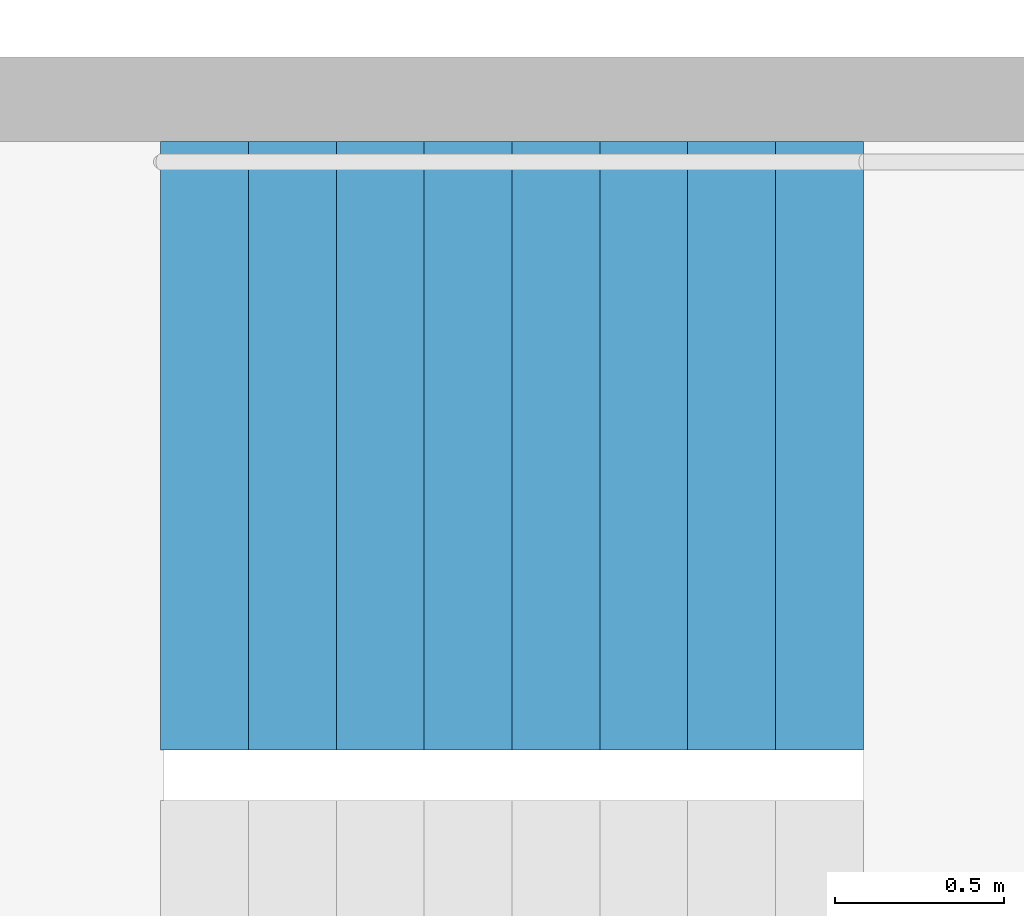
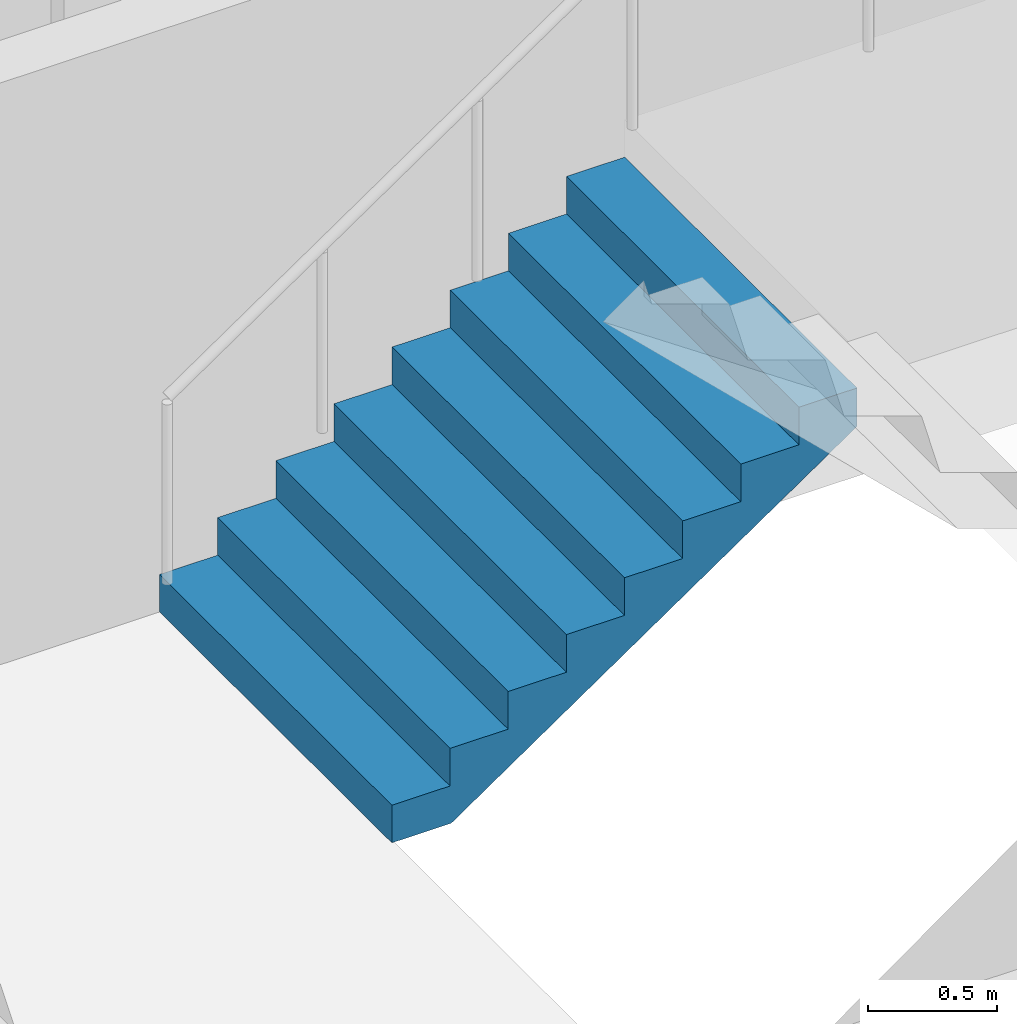
# One storey, part 23 of 26: 1 stair flight, 1 element without a shape of its own.
"""IFC4 building model written with IfcOpenShell, lengths in metres."""

from ifc_helpers import new_model, si_unit, direction, frame, origin, place, context, subcontext, project, spatial, triangles, material, type_object, element, aggregate, save


model = new_model("IFC4")

# Units and contexts
model_context = context("Model", 3, precision=1e-05, world=origin(), true_north=direction((0.0, 1.0)))
body_context = subcontext(model_context, "Body", "Model", "MODEL_VIEW")
ifc_project = project(units=[si_unit("LENGTHUNIT", "METRE"), si_unit("AREAUNIT", "SQUARE_METRE"), si_unit("VOLUMEUNIT", "CUBIC_METRE"), si_unit("PLANEANGLEUNIT", "RADIAN"), si_unit("MASSUNIT", "GRAM", prefix="KILO")], contexts=[model_context])

# Site, building, storey
site_placement = place(None, origin())
site = spatial("IfcSite", under=ifc_project, at=site_placement, CompositionType="ELEMENT")
building_placement = place(site_placement, origin())
building = spatial("IfcBuilding", under=site, at=building_placement, Name="Hakoniwa Tower and Hamabe Station Hall", CompositionType="ELEMENT")
storey_placement = place(building_placement, frame((0.0, 0.0, 143.800048828125)))
storey = spatial("IfcBuildingStorey", under=building, at=storey_placement, Name="L40", CompositionType="ELEMENT", Elevation=143.800048828125)

# Stair, stair flight
ifc_material_1 = material(Name="Concrete C40", Category="concrete")
stair_type = type_object("IfcStairType", Name="ESCAPE STAIR 1800", PredefinedType="HALF_TURN_STAIR", material=ifc_material_1)
stair_placement = place(storey_placement, origin())
stair = element("IfcStair", 1, at=stair_placement, inside=storey, type_object=stair_type, Name="Escape stair ST-4 L40", PredefinedType="HALF_TURN_STAIR")
ifc_material_2 = material(Name="Concrete C40", Category="concrete")
stair_flight_type = type_object("IfcStairFlightType", Name="STAIR FLIGHT 1800", PredefinedType="STRAIGHT", material=ifc_material_2)
stair_flight_placement = place(storey_placement, frame((23.39990234375, -4.64990234375, 0.0), z_axis=(0.0, 0.0, 1.0), x_axis=(1.0, 0.0, 0.0)))
stair_flight = element("IfcStairFlight", 2, at=stair_flight_placement, type_object=stair_flight_type, Name="ST-4 flight 1", NumberOfRisers=9, NumberOfTreads=8, PredefinedType="STRAIGHT", RiserHeight=0.177777778, TreadLength=0.26, context=body_context, shape_type="Tessellation", body=[
    triangles([(0.0, 0.89990234375, 0.0), (0.260009765625, 0.89990234375, 0.0), (0.265625, 0.89990234375, 0.0), (0.52001953125, 0.89990234375, 0.174072265625), (0.780029296875, 0.89990234375, 0.351806640625), (1.0400390625, 0.89990234375, 0.529541015625), (1.300048828125, 0.89990234375, 0.707275390625), (1.56005859375, 0.89990234375, 0.885009765625), (1.820068359375, 0.89990234375, 1.062744140625), (2.080078125, 0.89990234375, 1.24072265625), (2.080078125, 0.89990234375, 1.422119140625), (1.820068359375, 0.89990234375, 1.422119140625), (1.820068359375, 0.89990234375, 1.244384765625), (1.56005859375, 0.89990234375, 1.244384765625), (1.56005859375, 0.89990234375, 1.066650390625), (1.300048828125, 0.89990234375, 1.066650390625), (1.300048828125, 0.89990234375, 0.888916015625), (1.0400390625, 0.89990234375, 0.888916015625), (1.0400390625, 0.89990234375, 0.711181640625), (0.780029296875, 0.89990234375, 0.711181640625), (0.780029296875, 0.89990234375, 0.533447265625), (0.52001953125, 0.89990234375, 0.533447265625), (0.52001953125, 0.89990234375, 0.35546875), (0.265625, 0.89990234375, 0.35546875), (0.260009765625, 0.89990234375, 0.35546875), (0.260009765625, 0.89990234375, 0.177734375), (0.0, 0.89990234375, 0.177734375), (0.0, 0.06005859375, 0.0), (0.260009765625, 0.06005859375, 0.0), (0.265625, 0.06005859375, 0.0), (0.52001953125, 0.06005859375, 0.174072265625), (0.780029296875, 0.06005859375, 0.351806640625), (1.0400390625, 0.06005859375, 0.529541015625), (1.300048828125, 0.06005859375, 0.707275390625), (1.56005859375, 0.06005859375, 0.885009765625), (1.820068359375, 0.06005859375, 1.062744140625), (2.080078125, 0.06005859375, 1.24072265625), (2.080078125, 0.06005859375, 1.422119140625), (1.820068359375, 0.06005859375, 1.422119140625), (1.820068359375, 0.06005859375, 1.244384765625), (1.56005859375, 0.06005859375, 1.244384765625), (1.56005859375, 0.06005859375, 1.066650390625), (1.300048828125, 0.06005859375, 1.066650390625), (1.300048828125, 0.06005859375, 0.888916015625), (1.0400390625, 0.06005859375, 0.888916015625), (1.0400390625, 0.06005859375, 0.711181640625), (0.780029296875, 0.06005859375, 0.711181640625), (0.780029296875, 0.06005859375, 0.533447265625), (0.52001953125, 0.06005859375, 0.533447265625), (0.52001953125, 0.06005859375, 0.35546875), (0.265625, 0.06005859375, 0.35546875), (0.260009765625, 0.06005859375, 0.35546875), (0.260009765625, 0.06005859375, 0.177734375), (0.0, 0.06005859375, 0.177734375), (0.0, 0.04296875, 0.0), (0.260009765625, 0.04296875, 0.0), (0.265625, 0.04296875, 0.0), (0.52001953125, 0.04296875, 0.174072265625), (0.780029296875, 0.04296875, 0.351806640625), (1.0400390625, 0.04296875, 0.529541015625), (1.300048828125, 0.04296875, 0.707275390625), (1.56005859375, 0.04296875, 0.885009765625), (1.820068359375, 0.04296875, 1.062744140625), (2.080078125, 0.04296875, 1.24072265625), (2.080078125, 0.04296875, 1.422119140625), (1.820068359375, 0.04296875, 1.422119140625), (1.820068359375, 0.04296875, 1.244384765625), (1.56005859375, 0.04296875, 1.244384765625), (1.56005859375, 0.04296875, 1.066650390625), (1.300048828125, 0.04296875, 1.066650390625), (1.300048828125, 0.04296875, 0.888916015625), (1.0400390625, 0.04296875, 0.888916015625), (1.0400390625, 0.04296875, 0.711181640625), (0.780029296875, 0.04296875, 0.711181640625), (0.780029296875, 0.04296875, 0.533447265625), (0.52001953125, 0.04296875, 0.533447265625), (0.52001953125, 0.04296875, 0.35546875), (0.265625, 0.04296875, 0.35546875), (0.260009765625, 0.04296875, 0.35546875), (0.260009765625, 0.04296875, 0.177734375), (0.0, 0.04296875, 0.177734375), (0.0, 0.025634765625, 0.0), (0.260009765625, 0.025634765625, 0.0), (0.265625, 0.025634765625, 0.0), (0.52001953125, 0.025634765625, 0.174072265625), (0.780029296875, 0.025634765625, 0.351806640625), (1.0400390625, 0.025634765625, 0.529541015625), (1.300048828125, 0.025634765625, 0.707275390625), (1.56005859375, 0.025634765625, 0.885009765625), (1.820068359375, 0.025634765625, 1.062744140625), (2.080078125, 0.025634765625, 1.24072265625), (2.080078125, 0.025634765625, 1.422119140625), (1.820068359375, 0.025634765625, 1.422119140625), (1.820068359375, 0.025634765625, 1.244384765625), (1.56005859375, 0.025634765625, 1.244384765625), (1.56005859375, 0.025634765625, 1.066650390625), (1.300048828125, 0.025634765625, 1.066650390625), (1.300048828125, 0.025634765625, 0.888916015625), (1.0400390625, 0.025634765625, 0.888916015625), (1.0400390625, 0.025634765625, 0.711181640625), (0.780029296875, 0.025634765625, 0.711181640625), (0.780029296875, 0.025634765625, 0.533447265625), (0.52001953125, 0.025634765625, 0.533447265625), (0.52001953125, 0.025634765625, 0.35546875), (0.265625, 0.025634765625, 0.35546875), (0.260009765625, 0.025634765625, 0.35546875), (0.260009765625, 0.025634765625, 0.177734375), (0.0, 0.025634765625, 0.177734375), (0.0, 0.008544921875, 0.0), (0.260009765625, 0.008544921875, 0.0), (0.265625, 0.008544921875, 0.0), (0.52001953125, 0.008544921875, 0.174072265625), (0.780029296875, 0.008544921875, 0.351806640625), (1.0400390625, 0.008544921875, 0.529541015625), (1.300048828125, 0.008544921875, 0.707275390625), (1.56005859375, 0.008544921875, 0.885009765625), (1.820068359375, 0.008544921875, 1.062744140625), (2.080078125, 0.008544921875, 1.24072265625), (2.080078125, 0.008544921875, 1.422119140625), (1.820068359375, 0.008544921875, 1.422119140625), (1.820068359375, 0.008544921875, 1.244384765625), (1.56005859375, 0.008544921875, 1.244384765625), (1.56005859375, 0.008544921875, 1.066650390625), (1.300048828125, 0.008544921875, 1.066650390625), (1.300048828125, 0.008544921875, 0.888916015625), (1.0400390625, 0.008544921875, 0.888916015625), (1.0400390625, 0.008544921875, 0.711181640625), (0.780029296875, 0.008544921875, 0.711181640625), (0.780029296875, 0.008544921875, 0.533447265625), (0.52001953125, 0.008544921875, 0.533447265625), (0.52001953125, 0.008544921875, 0.35546875), (0.265625, 0.008544921875, 0.35546875), (0.260009765625, 0.008544921875, 0.35546875), (0.260009765625, 0.008544921875, 0.177734375), (0.0, 0.008544921875, 0.177734375), (0.0, -0.008544921875, 0.0), (0.260009765625, -0.008544921875, 0.0), (0.265625, -0.008544921875, 0.0), (0.52001953125, -0.008544921875, 0.174072265625), (0.780029296875, -0.008544921875, 0.351806640625), (1.0400390625, -0.008544921875, 0.529541015625), (1.300048828125, -0.008544921875, 0.707275390625), (1.56005859375, -0.008544921875, 0.885009765625), (1.820068359375, -0.008544921875, 1.062744140625), (2.080078125, -0.008544921875, 1.24072265625), (2.080078125, -0.008544921875, 1.422119140625), (1.820068359375, -0.008544921875, 1.422119140625), (1.820068359375, -0.008544921875, 1.244384765625), (1.56005859375, -0.008544921875, 1.244384765625), (1.56005859375, -0.008544921875, 1.066650390625), (1.300048828125, -0.008544921875, 1.066650390625), (1.300048828125, -0.008544921875, 0.888916015625), (1.0400390625, -0.008544921875, 0.888916015625), (1.0400390625, -0.008544921875, 0.711181640625), (0.780029296875, -0.008544921875, 0.711181640625), (0.780029296875, -0.008544921875, 0.533447265625), (0.52001953125, -0.008544921875, 0.533447265625), (0.52001953125, -0.008544921875, 0.35546875), (0.265625, -0.008544921875, 0.35546875), (0.260009765625, -0.008544921875, 0.35546875), (0.260009765625, -0.008544921875, 0.177734375), (0.0, -0.008544921875, 0.177734375), (0.0, -0.025634765625, 0.0), (0.260009765625, -0.025634765625, 0.0), (0.265625, -0.025634765625, 0.0), (0.52001953125, -0.025634765625, 0.174072265625), (0.780029296875, -0.025634765625, 0.351806640625), (1.0400390625, -0.025634765625, 0.529541015625), (1.300048828125, -0.025634765625, 0.707275390625), (1.56005859375, -0.025634765625, 0.885009765625), (1.820068359375, -0.025634765625, 1.062744140625), (2.080078125, -0.025634765625, 1.24072265625), (2.080078125, -0.025634765625, 1.422119140625), (1.820068359375, -0.025634765625, 1.422119140625), (1.820068359375, -0.025634765625, 1.244384765625), (1.56005859375, -0.025634765625, 1.244384765625), (1.56005859375, -0.025634765625, 1.066650390625), (1.300048828125, -0.025634765625, 1.066650390625), (1.300048828125, -0.025634765625, 0.888916015625), (1.0400390625, -0.025634765625, 0.888916015625), (1.0400390625, -0.025634765625, 0.711181640625), (0.780029296875, -0.025634765625, 0.711181640625), (0.780029296875, -0.025634765625, 0.533447265625), (0.52001953125, -0.025634765625, 0.533447265625), (0.52001953125, -0.025634765625, 0.35546875), (0.265625, -0.025634765625, 0.35546875), (0.260009765625, -0.025634765625, 0.35546875), (0.260009765625, -0.025634765625, 0.177734375), (0.0, -0.025634765625, 0.177734375), (0.0, -0.04296875, 0.0), (0.260009765625, -0.04296875, 0.0), (0.265625, -0.04296875, 0.0), (0.52001953125, -0.04296875, 0.174072265625), (0.780029296875, -0.04296875, 0.351806640625), (1.0400390625, -0.04296875, 0.529541015625), (1.300048828125, -0.04296875, 0.707275390625), (1.56005859375, -0.04296875, 0.885009765625), (1.820068359375, -0.04296875, 1.062744140625), (2.080078125, -0.04296875, 1.24072265625), (2.080078125, -0.04296875, 1.422119140625), (1.820068359375, -0.04296875, 1.422119140625), (1.820068359375, -0.04296875, 1.244384765625), (1.56005859375, -0.04296875, 1.244384765625), (1.56005859375, -0.04296875, 1.066650390625), (1.300048828125, -0.04296875, 1.066650390625), (1.300048828125, -0.04296875, 0.888916015625), (1.0400390625, -0.04296875, 0.888916015625), (1.0400390625, -0.04296875, 0.711181640625), (0.780029296875, -0.04296875, 0.711181640625), (0.780029296875, -0.04296875, 0.533447265625), (0.52001953125, -0.04296875, 0.533447265625), (0.52001953125, -0.04296875, 0.35546875), (0.265625, -0.04296875, 0.35546875), (0.260009765625, -0.04296875, 0.35546875), (0.260009765625, -0.04296875, 0.177734375), (0.0, -0.04296875, 0.177734375), (0.0, -0.06005859375, 0.0), (0.260009765625, -0.06005859375, 0.0), (0.265625, -0.06005859375, 0.0), (0.52001953125, -0.06005859375, 0.174072265625), (0.780029296875, -0.06005859375, 0.351806640625), (1.0400390625, -0.06005859375, 0.529541015625), (1.300048828125, -0.06005859375, 0.707275390625), (1.56005859375, -0.06005859375, 0.885009765625), (1.820068359375, -0.06005859375, 1.062744140625), (2.080078125, -0.06005859375, 1.24072265625), (2.080078125, -0.06005859375, 1.422119140625), (1.820068359375, -0.06005859375, 1.422119140625), (1.820068359375, -0.06005859375, 1.244384765625), (1.56005859375, -0.06005859375, 1.244384765625), (1.56005859375, -0.06005859375, 1.066650390625), (1.300048828125, -0.06005859375, 1.066650390625), (1.300048828125, -0.06005859375, 0.888916015625), (1.0400390625, -0.06005859375, 0.888916015625), (1.0400390625, -0.06005859375, 0.711181640625), (0.780029296875, -0.06005859375, 0.711181640625), (0.780029296875, -0.06005859375, 0.533447265625), (0.52001953125, -0.06005859375, 0.533447265625), (0.52001953125, -0.06005859375, 0.35546875), (0.265625, -0.06005859375, 0.35546875), (0.260009765625, -0.06005859375, 0.35546875), (0.260009765625, -0.06005859375, 0.177734375), (0.0, -0.06005859375, 0.177734375), (0.0, -0.89990234375, 0.0), (0.260009765625, -0.89990234375, 0.0), (0.265625, -0.89990234375, 0.0), (0.52001953125, -0.89990234375, 0.174072265625), (0.780029296875, -0.89990234375, 0.351806640625), (1.0400390625, -0.89990234375, 0.529541015625), (1.300048828125, -0.89990234375, 0.707275390625), (1.56005859375, -0.89990234375, 0.885009765625), (1.820068359375, -0.89990234375, 1.062744140625), (2.080078125, -0.89990234375, 1.24072265625), (2.080078125, -0.89990234375, 1.422119140625), (1.820068359375, -0.89990234375, 1.422119140625), (1.820068359375, -0.89990234375, 1.244384765625), (1.56005859375, -0.89990234375, 1.244384765625), (1.56005859375, -0.89990234375, 1.066650390625), (1.300048828125, -0.89990234375, 1.066650390625), (1.300048828125, -0.89990234375, 0.888916015625), (1.0400390625, -0.89990234375, 0.888916015625), (1.0400390625, -0.89990234375, 0.711181640625), (0.780029296875, -0.89990234375, 0.711181640625), (0.780029296875, -0.89990234375, 0.533447265625), (0.52001953125, -0.89990234375, 0.533447265625), (0.52001953125, -0.89990234375, 0.35546875), (0.265625, -0.89990234375, 0.35546875), (0.260009765625, -0.89990234375, 0.35546875), (0.260009765625, -0.89990234375, 0.177734375), (0.0, -0.89990234375, 0.177734375)], [[2, 27, 26], [245, 269, 270], [2, 1, 27], [245, 270, 244], [3, 25, 24], [246, 267, 268], [3, 26, 25], [246, 268, 269], [3, 2, 26], [246, 269, 245], [4, 24, 23], [247, 266, 267], [4, 3, 24], [247, 267, 246], [5, 22, 21], [248, 264, 265], [5, 23, 22], [248, 265, 266], [5, 4, 23], [248, 266, 247], [6, 20, 19], [249, 262, 263], [6, 21, 20], [249, 263, 264], [6, 5, 21], [249, 264, 248], [7, 18, 17], [250, 260, 261], [7, 19, 18], [250, 261, 262], [7, 6, 19], [250, 262, 249], [8, 16, 15], [251, 258, 259], [8, 17, 16], [251, 259, 260], [8, 7, 17], [251, 260, 250], [9, 14, 13], [252, 256, 257], [9, 15, 14], [252, 257, 258], [9, 8, 15], [252, 258, 251], [10, 12, 11], [253, 254, 255], [10, 13, 12], [253, 255, 256], [10, 9, 13], [253, 256, 252], [1, 2, 29], [1, 29, 28], [28, 29, 56], [28, 56, 55], [55, 56, 83], [55, 83, 82], [82, 83, 110], [82, 110, 109], [109, 110, 137], [109, 137, 136], [136, 137, 164], [136, 164, 163], [163, 164, 191], [163, 191, 190], [190, 191, 218], [190, 218, 217], [217, 218, 245], [217, 245, 244], [2, 3, 30], [2, 30, 29], [29, 30, 57], [29, 57, 56], [56, 57, 84], [56, 84, 83], [83, 84, 111], [83, 111, 110], [110, 111, 138], [110, 138, 137], [137, 138, 165], [137, 165, 164], [164, 165, 192], [164, 192, 191], [191, 192, 219], [191, 219, 218], [218, 219, 246], [218, 246, 245], [3, 4, 31], [3, 31, 30], [30, 31, 58], [30, 58, 57], [57, 58, 85], [57, 85, 84], [84, 85, 112], [84, 112, 111], [111, 112, 139], [111, 139, 138], [138, 139, 166], [138, 166, 165], [165, 166, 193], [165, 193, 192], [192, 193, 220], [192, 220, 219], [219, 220, 247], [219, 247, 246], [4, 5, 32], [4, 32, 31], [31, 32, 59], [31, 59, 58], [58, 59, 86], [58, 86, 85], [85, 86, 113], [85, 113, 112], [112, 113, 140], [112, 140, 139], [139, 140, 167], [139, 167, 166], [166, 167, 194], [166, 194, 193], [193, 194, 221], [193, 221, 220], [220, 221, 248], [220, 248, 247], [5, 6, 33], [5, 33, 32], [32, 33, 60], [32, 60, 59], [59, 60, 87], [59, 87, 86], [86, 87, 114], [86, 114, 113], [113, 114, 141], [113, 141, 140], [140, 141, 168], [140, 168, 167], [167, 168, 195], [167, 195, 194], [194, 195, 222], [194, 222, 221], [221, 222, 249], [221, 249, 248], [6, 7, 34], [6, 34, 33], [33, 34, 61], [33, 61, 60], [60, 61, 88], [60, 88, 87], [87, 88, 115], [87, 115, 114], [114, 115, 142], [114, 142, 141], [141, 142, 169], [141, 169, 168], [168, 169, 196], [168, 196, 195], [195, 196, 223], [195, 223, 222], [222, 223, 250], [222, 250, 249], [7, 8, 35], [7, 35, 34], [34, 35, 62], [34, 62, 61], [61, 62, 89], [61, 89, 88], [88, 89, 116], [88, 116, 115], [115, 116, 143], [115, 143, 142], [142, 143, 170], [142, 170, 169], [169, 170, 197], [169, 197, 196], [196, 197, 224], [196, 224, 223], [223, 224, 251], [223, 251, 250], [8, 9, 36], [8, 36, 35], [35, 36, 63], [35, 63, 62], [62, 63, 90], [62, 90, 89], [89, 90, 117], [89, 117, 116], [116, 117, 144], [116, 144, 143], [143, 144, 171], [143, 171, 170], [170, 171, 198], [170, 198, 197], [197, 198, 225], [197, 225, 224], [224, 225, 252], [224, 252, 251], [9, 10, 37], [9, 37, 36], [36, 37, 64], [36, 64, 63], [63, 64, 91], [63, 91, 90], [90, 91, 118], [90, 118, 117], [117, 118, 145], [117, 145, 144], [144, 145, 172], [144, 172, 171], [171, 172, 199], [171, 199, 198], [198, 199, 226], [198, 226, 225], [225, 226, 253], [225, 253, 252], [10, 11, 38], [10, 38, 37], [37, 38, 65], [37, 65, 64], [64, 65, 92], [64, 92, 91], [91, 92, 119], [91, 119, 118], [118, 119, 146], [118, 146, 145], [145, 146, 173], [145, 173, 172], [172, 173, 200], [172, 200, 199], [199, 200, 227], [199, 227, 226], [226, 227, 254], [226, 254, 253], [11, 12, 39], [11, 39, 38], [38, 39, 66], [38, 66, 65], [65, 66, 93], [65, 93, 92], [92, 93, 120], [92, 120, 119], [119, 120, 147], [119, 147, 146], [146, 147, 174], [146, 174, 173], [173, 174, 201], [173, 201, 200], [200, 201, 228], [200, 228, 227], [227, 228, 255], [227, 255, 254], [12, 13, 40], [12, 40, 39], [39, 40, 67], [39, 67, 66], [66, 67, 94], [66, 94, 93], [93, 94, 121], [93, 121, 120], [120, 121, 148], [120, 148, 147], [147, 148, 175], [147, 175, 174], [174, 175, 202], [174, 202, 201], [201, 202, 229], [201, 229, 228], [228, 229, 256], [228, 256, 255], [13, 14, 41], [13, 41, 40], [40, 41, 68], [40, 68, 67], [67, 68, 95], [67, 95, 94], [94, 95, 122], [94, 122, 121], [121, 122, 149], [121, 149, 148], [148, 149, 176], [148, 176, 175], [175, 176, 203], [175, 203, 202], [202, 203, 230], [202, 230, 229], [229, 230, 257], [229, 257, 256], [14, 15, 42], [14, 42, 41], [41, 42, 69], [41, 69, 68], [68, 69, 96], [68, 96, 95], [95, 96, 123], [95, 123, 122], [122, 123, 150], [122, 150, 149], [149, 150, 177], [149, 177, 176], [176, 177, 204], [176, 204, 203], [203, 204, 231], [203, 231, 230], [230, 231, 258], [230, 258, 257], [15, 16, 43], [15, 43, 42], [42, 43, 70], [42, 70, 69], [69, 70, 97], [69, 97, 96], [96, 97, 124], [96, 124, 123], [123, 124, 151], [123, 151, 150], [150, 151, 178], [150, 178, 177], [177, 178, 205], [177, 205, 204], [204, 205, 232], [204, 232, 231], [231, 232, 259], [231, 259, 258], [16, 17, 44], [16, 44, 43], [43, 44, 71], [43, 71, 70], [70, 71, 98], [70, 98, 97], [97, 98, 125], [97, 125, 124], [124, 125, 152], [124, 152, 151], [151, 152, 179], [151, 179, 178], [178, 179, 206], [178, 206, 205], [205, 206, 233], [205, 233, 232], [232, 233, 260], [232, 260, 259], [17, 18, 45], [17, 45, 44], [44, 45, 72], [44, 72, 71], [71, 72, 99], [71, 99, 98], [98, 99, 126], [98, 126, 125], [125, 126, 153], [125, 153, 152], [152, 153, 180], [152, 180, 179], [179, 180, 207], [179, 207, 206], [206, 207, 234], [206, 234, 233], [233, 234, 261], [233, 261, 260], [18, 19, 46], [18, 46, 45], [45, 46, 73], [45, 73, 72], [72, 73, 100], [72, 100, 99], [99, 100, 127], [99, 127, 126], [126, 127, 154], [126, 154, 153], [153, 154, 181], [153, 181, 180], [180, 181, 208], [180, 208, 207], [207, 208, 235], [207, 235, 234], [234, 235, 262], [234, 262, 261], [19, 20, 47], [19, 47, 46], [46, 47, 74], [46, 74, 73], [73, 74, 101], [73, 101, 100], [100, 101, 128], [100, 128, 127], [127, 128, 155], [127, 155, 154], [154, 155, 182], [154, 182, 181], [181, 182, 209], [181, 209, 208], [208, 209, 236], [208, 236, 235], [235, 236, 263], [235, 263, 262], [20, 21, 48], [20, 48, 47], [47, 48, 75], [47, 75, 74], [74, 75, 102], [74, 102, 101], [101, 102, 129], [101, 129, 128], [128, 129, 156], [128, 156, 155], [155, 156, 183], [155, 183, 182], [182, 183, 210], [182, 210, 209], [209, 210, 237], [209, 237, 236], [236, 237, 264], [236, 264, 263], [21, 22, 49], [21, 49, 48], [48, 49, 76], [48, 76, 75], [75, 76, 103], [75, 103, 102], [102, 103, 130], [102, 130, 129], [129, 130, 157], [129, 157, 156], [156, 157, 184], [156, 184, 183], [183, 184, 211], [183, 211, 210], [210, 211, 238], [210, 238, 237], [237, 238, 265], [237, 265, 264], [22, 23, 50], [22, 50, 49], [49, 50, 77], [49, 77, 76], [76, 77, 104], [76, 104, 103], [103, 104, 131], [103, 131, 130], [130, 131, 158], [130, 158, 157], [157, 158, 185], [157, 185, 184], [184, 185, 212], [184, 212, 211], [211, 212, 239], [211, 239, 238], [238, 239, 266], [238, 266, 265], [23, 24, 51], [23, 51, 50], [50, 51, 78], [50, 78, 77], [77, 78, 105], [77, 105, 104], [104, 105, 132], [104, 132, 131], [131, 132, 159], [131, 159, 158], [158, 159, 186], [158, 186, 185], [185, 186, 213], [185, 213, 212], [212, 213, 240], [212, 240, 239], [239, 240, 267], [239, 267, 266], [24, 25, 52], [24, 52, 51], [51, 52, 79], [51, 79, 78], [78, 79, 106], [78, 106, 105], [105, 106, 133], [105, 133, 132], [132, 133, 160], [132, 160, 159], [159, 160, 187], [159, 187, 186], [186, 187, 214], [186, 214, 213], [213, 214, 241], [213, 241, 240], [240, 241, 268], [240, 268, 267], [25, 26, 53], [25, 53, 52], [52, 53, 80], [52, 80, 79], [79, 80, 107], [79, 107, 106], [106, 107, 134], [106, 134, 133], [133, 134, 161], [133, 161, 160], [160, 161, 188], [160, 188, 187], [187, 188, 215], [187, 215, 214], [214, 215, 242], [214, 242, 241], [241, 242, 269], [241, 269, 268], [26, 27, 54], [26, 54, 53], [53, 54, 81], [53, 81, 80], [80, 81, 108], [80, 108, 107], [107, 108, 135], [107, 135, 134], [134, 135, 162], [134, 162, 161], [161, 162, 189], [161, 189, 188], [188, 189, 216], [188, 216, 215], [215, 216, 243], [215, 243, 242], [242, 243, 270], [242, 270, 269], [27, 1, 28], [27, 28, 54], [54, 28, 55], [54, 55, 81], [81, 55, 82], [81, 82, 108], [108, 82, 109], [108, 109, 135], [135, 109, 136], [135, 136, 162], [162, 136, 163], [162, 163, 189], [189, 163, 190], [189, 190, 216], [216, 190, 217], [216, 217, 243], [243, 217, 244], [243, 244, 270]], closed=True),
])
aggregate(stair, [stair_flight])

save(model, "model.ifc")
